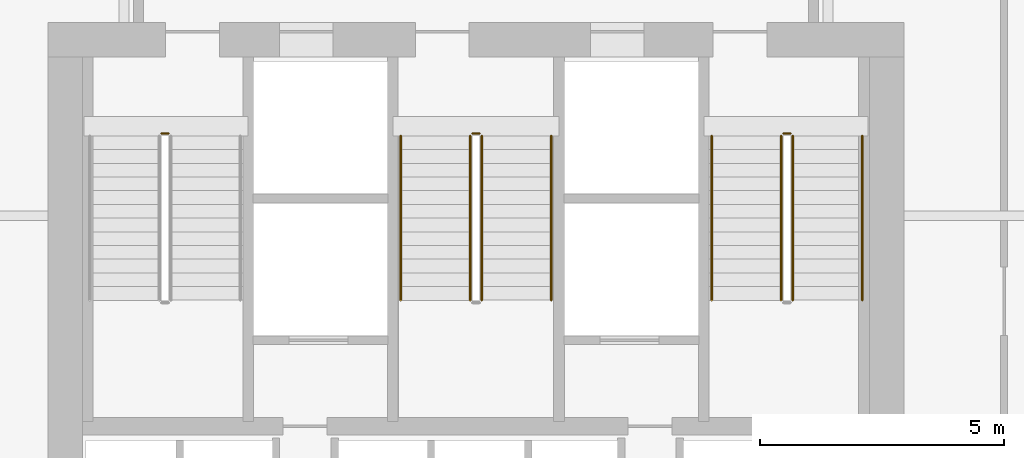
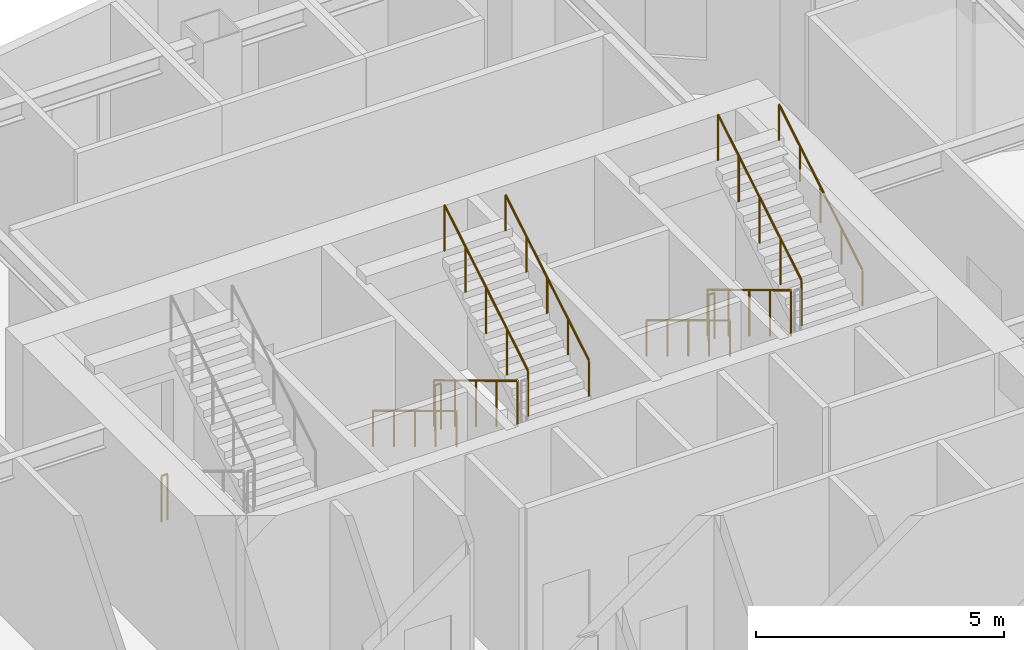
# One storey, part 18 of 19: 11 railings.
"""IFC4 building model written with IfcOpenShell, lengths in metres."""

from ifc_helpers import new_model, si_unit, direction, frame, origin, origin_2d, place, context, subcontext, project, spatial, circle, extrude, material, type_object, element, save


model = new_model("IFC4")

# Units and contexts
model_context = context("Model", 3, precision=1e-05, world=origin(), true_north=direction((0.0, 1.0)))
body_context = subcontext(model_context, "Body", "Model", "MODEL_VIEW")
ifc_project = project(units=[si_unit("LENGTHUNIT", "METRE"), si_unit("AREAUNIT", "SQUARE_METRE"), si_unit("VOLUMEUNIT", "CUBIC_METRE"), si_unit("PLANEANGLEUNIT", "RADIAN"), si_unit("MASSUNIT", "GRAM", prefix="KILO")], contexts=[model_context])

# Site, building, storey
site_placement = place(None, origin())
site = spatial("IfcSite", under=ifc_project, at=site_placement, CompositionType="ELEMENT")
building_placement = place(site_placement, origin())
building = spatial("IfcBuilding", under=site, at=building_placement, Name="Haolan Belvedere Tower", CompositionType="ELEMENT")
storey_placement = place(building_placement, frame((0.0, 0.0, 94.0)))
storey = spatial("IfcBuildingStorey", under=building, at=storey_placement, Name="L23", CompositionType="ELEMENT", Elevation=94.0)

# Railings
ifc_material = material(Name="Brushed stainless steel 304", Category="steel")
railing_type_1 = type_object("IfcRailingType", Name="RL-STAIR-GRD-1150", PredefinedType="GUARDRAIL", material=ifc_material)
railing_1_placement = place(storey_placement, frame((31.969970703125, 41.280029296875, 0.0)))
element("IfcRailing", 1, at=railing_1_placement, inside=storey, type_object=railing_type_1, Name="L23 ST1 stair guard 4", PredefinedType="GUARDRAIL", context=body_context, shape_type="SweptSolid", body=[
    extrude(circle(Radius=0.02392578125, at=origin_2d()), frame((0.0, 0.0, 1.1259765625), z_axis=(1.0, 0.0, 0.0), x_axis=(0.0, 1.0, 0.0)), (0.0, 0.0, 1.0), 0.14013671875),
    extrude(circle(Radius=0.02099609375, at=origin_2d()), origin(), (0.0, 0.0, 1.0), 1.101806640625),
    extrude(circle(Radius=0.02099609375, at=origin_2d()), frame((0.14013671875, 0.0, 0.0)), (0.0, 0.0, 1.0), 1.101806640625),
])
railing_2_placement = place(storey_placement, frame((38.280029296875, 41.22998046875, 0.169189453125)))
element("IfcRailing", 2, at=railing_2_placement, inside=storey, type_object=railing_type_1, Name="L23 ST3 stair guard 1", PredefinedType="GUARDRAIL", context=body_context, shape_type="SweptSolid", body=[
    extrude(circle(Radius=0.02392578125, at=origin_2d()), frame((0.0, 0.0, 1.1259765625), z_axis=(0.0, -0.855820338506, 0.51727318527), x_axis=(1.0, 0.0, 0.0)), (0.0, 0.0, 1.0), 3.92578125),
    extrude(circle(Radius=0.02099609375, at=origin_2d()), origin(), (0.0, 0.0, 1.0), 1.101806640625),
    extrude(circle(Radius=0.02099609375, at=origin_2d()), frame((0.0, -0.83984375, 0.5078125)), (0.0, 0.0, 1.0), 1.101806640625),
    extrude(circle(Radius=0.02099609375, at=origin_2d()), frame((0.0, -1.679931640625, 1.015380859375)), (0.0, 0.0, 1.0), 1.101806640625),
    extrude(circle(Radius=0.02099609375, at=origin_2d()), frame((0.0, -2.52001953125, 1.52294921875)), (0.0, 0.0, 1.0), 1.101806640625),
    extrude(circle(Radius=0.02099609375, at=origin_2d()), frame((0.0, -3.35986328125, 2.03076171875)), (0.0, 0.0, 1.0), 1.101806640625),
])
railing_3_placement = place(storey_placement, frame((38.52001953125, 37.8701171875, 2.369140625)))
element("IfcRailing", 3, at=railing_3_placement, inside=storey, type_object=railing_type_1, Name="L23 ST3 stair guard 3", PredefinedType="GUARDRAIL", context=body_context, shape_type="SweptSolid", body=[
    extrude(circle(Radius=0.02392578125, at=origin_2d()), frame((0.0, 0.0, 1.1259765625), z_axis=(0.0, 0.855820338506, 0.51727318527), x_axis=(-1.0, 0.0, 0.0)), (0.0, 0.0, 1.0), 3.92578125),
    extrude(circle(Radius=0.02099609375, at=origin_2d()), origin(), (0.0, 0.0, 1.0), 1.101806640625),
    extrude(circle(Radius=0.02099609375, at=origin_2d()), frame((0.0, 0.83984375, 0.5078125)), (0.0, 0.0, 1.0), 1.101806640625),
    extrude(circle(Radius=0.02099609375, at=origin_2d()), frame((0.0, 1.679931640625, 1.015380859375)), (0.0, 0.0, 1.0), 1.101806640625),
    extrude(circle(Radius=0.02099609375, at=origin_2d()), frame((0.0, 2.52001953125, 1.52294921875)), (0.0, 0.0, 1.0), 1.101806640625),
    extrude(circle(Radius=0.02099609375, at=origin_2d()), frame((0.0, 3.35986328125, 2.03076171875)), (0.0, 0.0, 1.0), 1.101806640625),
])
railing_4_placement = place(storey_placement, frame((38.330078125, 41.280029296875, 0.0)))
element("IfcRailing", 4, at=railing_4_placement, inside=storey, type_object=railing_type_1, Name="L23 ST3 stair guard 4", PredefinedType="GUARDRAIL", context=body_context, shape_type="SweptSolid", body=[
    extrude(circle(Radius=0.02392578125, at=origin_2d()), frame((0.0, 0.0, 1.1259765625), z_axis=(1.0, 0.0, 0.0), x_axis=(0.0, 1.0, 0.0)), (0.0, 0.0, 1.0), 0.139892578125),
    extrude(circle(Radius=0.02099609375, at=origin_2d()), origin(), (0.0, 0.0, 1.0), 1.101806640625),
    extrude(circle(Radius=0.02099609375, at=origin_2d()), frame((0.139892578125, 0.0, 0.0)), (0.0, 0.0, 1.0), 1.101806640625),
])
railing_5_placement = place(storey_placement, frame((44.639892578125, 41.22998046875, 0.169189453125)))
element("IfcRailing", 5, at=railing_5_placement, inside=storey, type_object=railing_type_1, Name="L23 ST2 stair guard 1", PredefinedType="GUARDRAIL", context=body_context, shape_type="SweptSolid", body=[
    extrude(circle(Radius=0.02392578125, at=origin_2d()), frame((0.0, 0.0, 1.1259765625), z_axis=(0.0, -0.855820338506, 0.51727318527), x_axis=(1.0, 0.0, 0.0)), (0.0, 0.0, 1.0), 3.92578125),
    extrude(circle(Radius=0.02099609375, at=origin_2d()), origin(), (0.0, 0.0, 1.0), 1.101806640625),
    extrude(circle(Radius=0.02099609375, at=origin_2d()), frame((0.0, -0.83984375, 0.5078125)), (0.0, 0.0, 1.0), 1.101806640625),
    extrude(circle(Radius=0.02099609375, at=origin_2d()), frame((0.0, -1.679931640625, 1.015380859375)), (0.0, 0.0, 1.0), 1.101806640625),
    extrude(circle(Radius=0.02099609375, at=origin_2d()), frame((0.0, -2.52001953125, 1.52294921875)), (0.0, 0.0, 1.0), 1.101806640625),
    extrude(circle(Radius=0.02099609375, at=origin_2d()), frame((0.0, -3.35986328125, 2.03076171875)), (0.0, 0.0, 1.0), 1.101806640625),
])
railing_6_placement = place(storey_placement, frame((44.8798828125, 37.8701171875, 2.369140625)))
element("IfcRailing", 6, at=railing_6_placement, inside=storey, type_object=railing_type_1, Name="L23 ST2 stair guard 3", PredefinedType="GUARDRAIL", context=body_context, shape_type="SweptSolid", body=[
    extrude(circle(Radius=0.02392578125, at=origin_2d()), frame((0.0, 0.0, 1.1259765625), z_axis=(0.0, 0.855820338506, 0.51727318527), x_axis=(-1.0, 0.0, 0.0)), (0.0, 0.0, 1.0), 3.92578125),
    extrude(circle(Radius=0.02099609375, at=origin_2d()), origin(), (0.0, 0.0, 1.0), 1.101806640625),
    extrude(circle(Radius=0.02099609375, at=origin_2d()), frame((0.0, 0.83984375, 0.5078125)), (0.0, 0.0, 1.0), 1.101806640625),
    extrude(circle(Radius=0.02099609375, at=origin_2d()), frame((0.0, 1.679931640625, 1.015380859375)), (0.0, 0.0, 1.0), 1.101806640625),
    extrude(circle(Radius=0.02099609375, at=origin_2d()), frame((0.0, 2.52001953125, 1.52294921875)), (0.0, 0.0, 1.0), 1.101806640625),
    extrude(circle(Radius=0.02099609375, at=origin_2d()), frame((0.0, 3.35986328125, 2.03076171875)), (0.0, 0.0, 1.0), 1.101806640625),
])
railing_7_placement = place(storey_placement, frame((44.68994140625, 41.280029296875, 0.0)))
element("IfcRailing", 7, at=railing_7_placement, inside=storey, type_object=railing_type_1, Name="L23 ST2 stair guard 4", PredefinedType="GUARDRAIL", context=body_context, shape_type="SweptSolid", body=[
    extrude(circle(Radius=0.02392578125, at=origin_2d()), frame((0.0, 0.0, 1.1259765625), z_axis=(1.0, 0.0, 0.0), x_axis=(0.0, 1.0, 0.0)), (0.0, 0.0, 1.0), 0.14013671875),
    extrude(circle(Radius=0.02099609375, at=origin_2d()), origin(), (0.0, 0.0, 1.0), 1.101806640625),
    extrude(circle(Radius=0.02099609375, at=origin_2d()), frame((0.14013671875, 0.0, 0.0)), (0.0, 0.0, 1.0), 1.101806640625),
])
railing_type_2 = type_object("IfcRailingType", Name="RL-STAIR-HND-900", PredefinedType="HANDRAIL", material=ifc_material)
railing_8_placement = place(storey_placement, frame((36.860107421875, 41.22998046875, 0.169189453125)))
element("IfcRailing", 8, at=railing_8_placement, inside=storey, type_object=railing_type_2, Name="L23 ST3 stair handrail 1", PredefinedType="HANDRAIL", context=body_context, shape_type="SweptSolid", body=[
    extrude(circle(Radius=0.02392578125, at=origin_2d()), frame((0.0, 0.0, 0.8759765625), z_axis=(0.0, -0.855820338506, 0.51727318527), x_axis=(1.0, 0.0, 0.0)), (0.0, 0.0, 1.0), 3.92578125),
    extrude(circle(Radius=0.02099609375, at=origin_2d()), origin(), (0.0, 0.0, 1.0), 0.851806640625),
    extrude(circle(Radius=0.02099609375, at=origin_2d()), frame((0.0, -0.83984375, 0.5078125)), (0.0, 0.0, 1.0), 0.851806640625),
    extrude(circle(Radius=0.02099609375, at=origin_2d()), frame((0.0, -1.679931640625, 1.015380859375)), (0.0, 0.0, 1.0), 0.851806640625),
    extrude(circle(Radius=0.02099609375, at=origin_2d()), frame((0.0, -2.52001953125, 1.52294921875)), (0.0, 0.0, 1.0), 0.851806640625),
    extrude(circle(Radius=0.02099609375, at=origin_2d()), frame((0.0, -3.35986328125, 2.03076171875)), (0.0, 0.0, 1.0), 0.851806640625),
])
railing_9_placement = place(storey_placement, frame((39.93994140625, 37.8701171875, 2.369140625)))
element("IfcRailing", 9, at=railing_9_placement, inside=storey, type_object=railing_type_2, Name="L23 ST3 stair handrail 2", PredefinedType="HANDRAIL", context=body_context, shape_type="SweptSolid", body=[
    extrude(circle(Radius=0.02392578125, at=origin_2d()), frame((0.0, 0.0, 0.8759765625), z_axis=(0.0, 0.855820338506, 0.51727318527), x_axis=(-1.0, 0.0, 0.0)), (0.0, 0.0, 1.0), 3.92578125),
    extrude(circle(Radius=0.02099609375, at=origin_2d()), origin(), (0.0, 0.0, 1.0), 0.851806640625),
    extrude(circle(Radius=0.02099609375, at=origin_2d()), frame((0.0, 0.83984375, 0.5078125)), (0.0, 0.0, 1.0), 0.851806640625),
    extrude(circle(Radius=0.02099609375, at=origin_2d()), frame((0.0, 1.679931640625, 1.015380859375)), (0.0, 0.0, 1.0), 0.851806640625),
    extrude(circle(Radius=0.02099609375, at=origin_2d()), frame((0.0, 2.52001953125, 1.52294921875)), (0.0, 0.0, 1.0), 0.851806640625),
    extrude(circle(Radius=0.02099609375, at=origin_2d()), frame((0.0, 3.35986328125, 2.03076171875)), (0.0, 0.0, 1.0), 0.851806640625),
])
railing_10_placement = place(storey_placement, frame((43.219970703125, 41.22998046875, 0.169189453125)))
element("IfcRailing", 10, at=railing_10_placement, inside=storey, type_object=railing_type_2, Name="L23 ST2 stair handrail 1", PredefinedType="HANDRAIL", context=body_context, shape_type="SweptSolid", body=[
    extrude(circle(Radius=0.02392578125, at=origin_2d()), frame((0.0, 0.0, 0.8759765625), z_axis=(0.0, -0.855820338506, 0.51727318527), x_axis=(1.0, 0.0, 0.0)), (0.0, 0.0, 1.0), 3.92578125),
    extrude(circle(Radius=0.02099609375, at=origin_2d()), origin(), (0.0, 0.0, 1.0), 0.851806640625),
    extrude(circle(Radius=0.02099609375, at=origin_2d()), frame((0.0, -0.83984375, 0.5078125)), (0.0, 0.0, 1.0), 0.851806640625),
    extrude(circle(Radius=0.02099609375, at=origin_2d()), frame((0.0, -1.679931640625, 1.015380859375)), (0.0, 0.0, 1.0), 0.851806640625),
    extrude(circle(Radius=0.02099609375, at=origin_2d()), frame((0.0, -2.52001953125, 1.52294921875)), (0.0, 0.0, 1.0), 0.851806640625),
    extrude(circle(Radius=0.02099609375, at=origin_2d()), frame((0.0, -3.35986328125, 2.03076171875)), (0.0, 0.0, 1.0), 0.851806640625),
])
railing_11_placement = place(storey_placement, frame((46.300048828125, 37.8701171875, 2.369140625)))
element("IfcRailing", 11, at=railing_11_placement, inside=storey, type_object=railing_type_2, Name="L23 ST2 stair handrail 2", PredefinedType="HANDRAIL", context=body_context, shape_type="SweptSolid", body=[
    extrude(circle(Radius=0.02392578125, at=origin_2d()), frame((0.0, 0.0, 0.8759765625), z_axis=(0.0, 0.855820338506, 0.51727318527), x_axis=(-1.0, 0.0, 0.0)), (0.0, 0.0, 1.0), 3.92578125),
    extrude(circle(Radius=0.02099609375, at=origin_2d()), origin(), (0.0, 0.0, 1.0), 0.851806640625),
    extrude(circle(Radius=0.02099609375, at=origin_2d()), frame((0.0, 0.83984375, 0.5078125)), (0.0, 0.0, 1.0), 0.851806640625),
    extrude(circle(Radius=0.02099609375, at=origin_2d()), frame((0.0, 1.679931640625, 1.015380859375)), (0.0, 0.0, 1.0), 0.851806640625),
    extrude(circle(Radius=0.02099609375, at=origin_2d()), frame((0.0, 2.52001953125, 1.52294921875)), (0.0, 0.0, 1.0), 0.851806640625),
    extrude(circle(Radius=0.02099609375, at=origin_2d()), frame((0.0, 3.35986328125, 2.03076171875)), (0.0, 0.0, 1.0), 0.851806640625),
])

save(model, "model.ifc")
